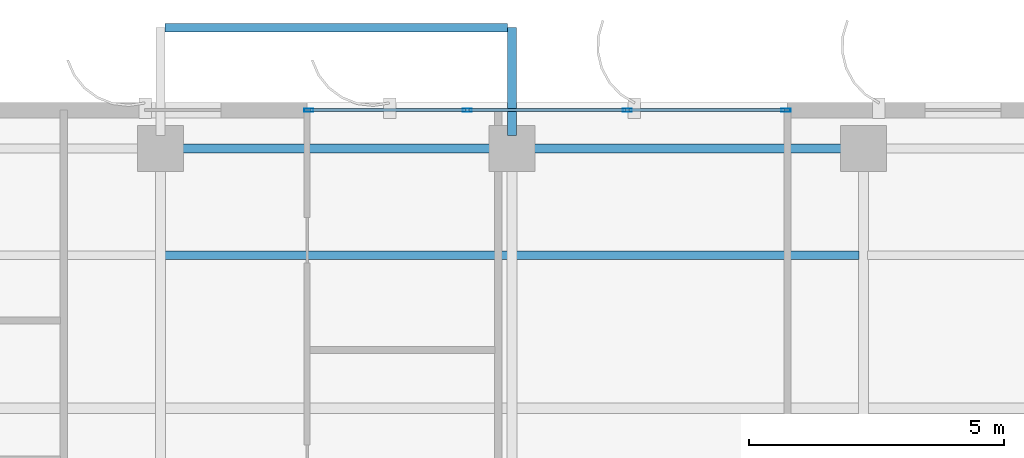
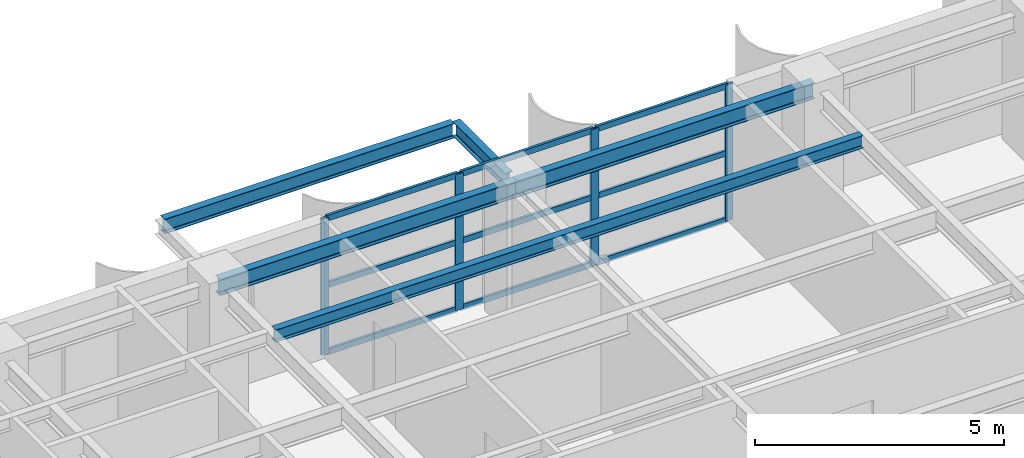
# One storey, part 12 of 21: 13 members, 5 beams, 1 element without a shape of its own.
"""IFC4 building model written with IfcOpenShell, lengths in metres."""

import ifcopenshell
import ifcopenshell.guid

model = None  # the IFC model being written
_history = None  # IfcOwnerHistory: only IFC2X3 demands one
_inside = {}  # id of a spatial element -> (the spatial element, [elements in it])
_under = {}  # id of a project, library or spatial element -> (it, [spatial elements below it])
_declared = {}  # id of a project -> (the project, [libraries it declares])
_typed = {}  # id of a type object -> (the type object, [elements of that type])
_made_of = {}  # id of a material, layer set ... -> (it, [elements and type objects made of it])


def new_model(schema):
    """Start an empty IFC model of exactly this schema.

    Asked for "IFC4X3", IfcOpenShell would pick the latest addendum, in which some entities
    have other attributes; the version numbers below select the first issue.
    IFC2X3 requires an IfcOwnerHistory on every rooted entity: one is made here for all.
    """
    global model, _history
    if schema == "IFC4X3":
        model = ifcopenshell.file(schema_version=(4, 3, 0, 0))
    else:
        model = ifcopenshell.file(schema=schema)
    _inside.clear()
    _under.clear()
    _declared.clear()
    _typed.clear()
    _made_of.clear()
    _history = None
    if model.schema == "IFC2X3":
        org = make("IfcOrganization", Name="unknown")
        user = make(
            "IfcPersonAndOrganization",
            ThePerson=make("IfcPerson", FamilyName="unknown"),
            TheOrganization=org,
        )
        app = make(
            "IfcApplication",
            ApplicationDeveloper=org,
            Version="unknown",
            ApplicationFullName="unknown",
            ApplicationIdentifier="unknown",
        )
        _history = make(
            "IfcOwnerHistory",
            OwningUser=user,
            OwningApplication=app,
            ChangeAction="ADDED",
            CreationDate=0,
        )
    return model


def make(cls, **values):
    """One entity of the class cls with the attributes given. An attribute that is None is left unset."""
    return model.create_entity(
        cls, **{name: value for name, value in values.items() if value is not None}
    )


def rooted(cls, **values):
    """An entity with a GlobalId (a new one), such as an element, a storey or a relation."""
    return make(cls, GlobalId=ifcopenshell.guid.new(), OwnerHistory=_history, **values)


def si_unit(unit_type, name, prefix=None):
    """IfcSIUnit, for example si_unit("LENGTHUNIT", "METRE", prefix="MILLI")."""
    return make("IfcSIUnit", UnitType=unit_type, Prefix=prefix, Name=name)


def assignment(units):
    """IfcUnitAssignment: the units of a project."""
    return None if units is None else make("IfcUnitAssignment", Units=units)


def point(xyz):
    """IfcCartesianPoint."""
    return None if xyz is None else make("IfcCartesianPoint", Coordinates=xyz)


def direction(xyz):
    """IfcDirection."""
    return None if xyz is None else make("IfcDirection", DirectionRatios=xyz)


def frame(location, z_axis=None, x_axis=None):
    """IfcAxis2Placement3D, a coordinate frame: its origin and axes. An axis left out is left unset."""
    return make(
        "IfcAxis2Placement3D",
        Location=point(location),
        Axis=direction(z_axis),
        RefDirection=direction(x_axis),
    )


def frame_2d(location, x_axis=None):
    """IfcAxis2Placement2D, a coordinate frame in the plane: its origin and x axis."""
    return make(
        "IfcAxis2Placement2D", Location=point(location), RefDirection=direction(x_axis)
    )


def origin():
    """The frame at (0, 0, 0) with its axes left unset."""
    return frame((0.0, 0.0, 0.0))


def origin_2d():
    """The frame at (0, 0) in the plane with its x axis left unset."""
    return frame_2d((0.0, 0.0))


def place(relative_to, where):
    """IfcLocalPlacement: puts the frame where relative to a parent placement (None: the world)."""
    return make(
        "IfcLocalPlacement", PlacementRelTo=relative_to, RelativePlacement=where
    )


def context(
    kind, dimensions, precision=None, world=None, true_north=None, identifier=None
):
    """IfcGeometricRepresentationContext, for example the 3D "Model" context."""
    return make(
        "IfcGeometricRepresentationContext",
        ContextIdentifier=identifier,
        ContextType=kind,
        CoordinateSpaceDimension=dimensions,
        Precision=precision,
        WorldCoordinateSystem=world,
        TrueNorth=true_north,
    )


def subcontext(parent, identifier, kind, view, scale=None):
    """IfcGeometricRepresentationSubContext, for example "Body" below "Model"."""
    return make(
        "IfcGeometricRepresentationSubContext",
        ContextIdentifier=identifier,
        ContextType=kind,
        ParentContext=parent,
        TargetScale=scale,
        TargetView=view,
    )


def project(units=None, contexts=None):
    """IfcProject with its units and contexts."""
    return rooted(
        "IfcProject",
        Name="project",
        RepresentationContexts=contexts,
        UnitsInContext=assignment(units),
    )


def spatial(cls, under=None, at=None, **own):
    """A site, building, storey or space (cls), placed at a placement, below another one or the project."""
    s = rooted(cls, ObjectPlacement=at, **own)
    if under is not None:
        _under.setdefault(under.id(), (under, []))[1].append(s)
    return s


def profile(cls, at=None, kind="AREA", **sizes):
    """A parametric profile (cls). Its sizes go by their IFC names, for example OverallWidth=200.0."""
    return make(cls, ProfileType=kind, Position=at, **sizes)


def hollow_rectangle(**sizes):
    """IfcRectangleHollowProfileDef."""
    return profile("IfcRectangleHollowProfileDef", **sizes)


def i_section(**sizes):
    """IfcIShapeProfileDef."""
    return profile("IfcIShapeProfileDef", **sizes)


def extrude(swept, where, along, depth):
    """IfcExtrudedAreaSolid: the profile swept, set in the frame where, extruded along a direction by depth."""
    return make(
        "IfcExtrudedAreaSolid",
        SweptArea=swept,
        Position=where,
        ExtrudedDirection=direction(along),
        Depth=depth,
    )


def shape(context_of_items, identifier, shape_type, items):
    """IfcShapeRepresentation: the items that make up one representation, for example the "Body"."""
    return make(
        "IfcShapeRepresentation",
        ContextOfItems=context_of_items,
        RepresentationIdentifier=identifier,
        RepresentationType=shape_type,
        Items=items,
    )


def source(mapping_origin, context_of_items, identifier, shape_type, items):
    """IfcRepresentationMap: a shape defined once, which mapped items show again and again."""
    return make(
        "IfcRepresentationMap",
        MappingOrigin=mapping_origin,
        MappedRepresentation=shape(context_of_items, identifier, shape_type, items),
    )


def transform(
    local_origin,
    x_axis=None,
    y_axis=None,
    z_axis=None,
    scale=None,
    scale2=None,
    scale3=None,
    uniform=True,
):
    """IfcCartesianTransformationOperator3D, or its non-uniform kind. x_axis, y_axis, z_axis: its Axis1, 2, 3."""
    if uniform:
        return make(
            "IfcCartesianTransformationOperator3D",
            Axis1=direction(x_axis),
            Axis2=direction(y_axis),
            LocalOrigin=point(local_origin),
            Scale=scale,
            Axis3=direction(z_axis),
        )
    return make(
        "IfcCartesianTransformationOperator3DnonUniform",
        Axis1=direction(x_axis),
        Axis2=direction(y_axis),
        LocalOrigin=point(local_origin),
        Scale=scale,
        Axis3=direction(z_axis),
        Scale2=scale2,
        Scale3=scale3,
    )


def mapped(mapping_source, mapping_target):
    """IfcMappedItem: shows the shape of a source again, moved by a transform."""
    return make(
        "IfcMappedItem", MappingSource=mapping_source, MappingTarget=mapping_target
    )


def material(Name=None, Category=None):
    """IfcMaterial."""
    return make("IfcMaterial", Name=Name, Category=Category)


def layer(
    of_material, thickness, ventilated=None, Name=None, Category=None, Priority=None
):
    """IfcMaterialLayer: one layer of a wall or slab, of a material (None: an air gap)."""
    return make(
        "IfcMaterialLayer",
        Material=of_material,
        LayerThickness=thickness,
        IsVentilated=ventilated,
        Name=Name,
        Category=Category,
        Priority=Priority,
    )


def layer_set(layers, Name=None):
    """IfcMaterialLayerSet."""
    return make("IfcMaterialLayerSet", MaterialLayers=layers, LayerSetName=Name)


def material_profile(
    of_material, cross_section, Name=None, Category=None, Priority=None
):
    """IfcMaterialProfile: a cross section and its material."""
    return make(
        "IfcMaterialProfile",
        Name=Name,
        Material=of_material,
        Profile=cross_section,
        Priority=Priority,
        Category=Category,
    )


def profile_set(profiles, Name=None, composite=None):
    """IfcMaterialProfileSet."""
    return make(
        "IfcMaterialProfileSet",
        Name=Name,
        MaterialProfiles=profiles,
        CompositeProfile=composite,
    )


def made_of(thing, what):
    """Note that an element or type object is made of a material, layer set ...; save() writes the relation."""
    if what is not None:
        _made_of.setdefault(what.id(), (what, []))[1].append(thing)
    return thing


def type_object(cls, material=None, **own):
    """A type object (cls), such as IfcWallType, which elements share."""
    return made_of(rooted(cls, **own), material)


def element(
    cls,
    number,
    at=None,
    inside=None,
    cuts=None,
    type_object=None,
    material=None,
    context=None,
    identifier="Body",
    shape_type=None,
    held_by="IfcProductDefinitionShape",
    body=None,
    shapes=None,
    **own,
):
    """One element of the class cls, such as IfcWall. Its Tag is "e" and its number.

    at: its placement. inside: the storey or other place that contains it. cuts: it is an
    opening in that element (IfcRelVoidsElement). A single representation is given by context,
    identifier, shape_type and body (its items); several are given by shapes. held_by: the class
    of the entity that holds the representations. save() writes the other relations.
    """
    e = rooted(cls, Tag="e%d" % number, ObjectPlacement=at, **own)
    if body is not None:
        shapes = [shape(context, identifier, shape_type, body)]
    if shapes is not None:
        e.Representation = make(held_by, Representations=shapes)
    if inside is not None:
        _inside.setdefault(inside.id(), (inside, []))[1].append(e)
    if cuts is not None:
        rooted(
            "IfcRelVoidsElement", RelatingBuildingElement=cuts, RelatedOpeningElement=e
        )
    if type_object is not None:
        _typed.setdefault(type_object.id(), (type_object, []))[1].append(e)
    return made_of(e, material)


def aggregate(whole, parts):
    """IfcRelAggregates: a whole, such as a stair, and the parts it consists of."""
    return rooted("IfcRelAggregates", RelatingObject=whole, RelatedObjects=parts)


def save(model, path):
    """Write the relations noted so far, then the file.

    IfcRelAggregates (storeys below a building ...), IfcRelContainedInSpatialStructure (elements
    in a storey), IfcRelDefinesByType, IfcRelAssociatesMaterial and IfcRelDeclares: one each for
    every whole, place, type object, material and project.
    """
    for whole, parts in _under.values():
        aggregate(whole, parts)
    for where, things in _inside.values():
        rooted(
            "IfcRelContainedInSpatialStructure",
            RelatedElements=things,
            RelatingStructure=where,
        )
    for kind, things in _typed.values():
        rooted("IfcRelDefinesByType", RelatedObjects=things, RelatingType=kind)
    for what, things in _made_of.values():
        rooted("IfcRelAssociatesMaterial", RelatedObjects=things, RelatingMaterial=what)
    for by, libraries in _declared.values():
        rooted("IfcRelDeclares", RelatingContext=by, RelatedDefinitions=libraries)
    model.write(path)


model = new_model("IFC4")

# Units and contexts
model_context = context("Model", 3, precision=1e-05, world=origin(), true_north=direction((0.0, 1.0)))
body_context = subcontext(model_context, "Body", "Model", "MODEL_VIEW")
ifc_project = project(units=[si_unit("LENGTHUNIT", "METRE"), si_unit("AREAUNIT", "SQUARE_METRE"), si_unit("VOLUMEUNIT", "CUBIC_METRE"), si_unit("PLANEANGLEUNIT", "RADIAN"), si_unit("MASSUNIT", "GRAM", prefix="KILO")], contexts=[model_context])

# Site, building, storey
site_placement = place(None, origin())
site = spatial("IfcSite", under=ifc_project, at=site_placement, CompositionType="ELEMENT")
building_placement = place(site_placement, origin())
building = spatial("IfcBuilding", under=site, at=building_placement, Name="Khoralis Quay Care Tower", CompositionType="ELEMENT")
storey_placement = place(building_placement, frame((0.0, 0.0, 159.300048828125)))
storey = spatial("IfcBuildingStorey", under=building, at=storey_placement, Name="L41", CompositionType="ELEMENT", Elevation=159.300048828125)

# Beams
ifc_material_1 = material(Name="Steel S355", Category="steel")
ifc_material_profile_1 = material_profile(ifc_material_1, i_section(OverallWidth=0.179931640625, OverallDepth=0.39990234375, WebThickness=0.008544921875, FlangeThickness=0.013427734375, FilletRadius=0.02099609375, at=origin_2d()), Name="Steel S355")
ifc_profile_set_1 = profile_set([ifc_material_profile_1], Name="Steel S355")
beam_type_1 = type_object("IfcBeamType", Name="BM-IPE400", PredefinedType="SPANDREL", material=ifc_profile_set_1)
shared_shape_1 = source(origin(), body_context, "Body", "SweptSolid", [
    extrude(i_section(OverallWidth=0.179931640625, OverallDepth=0.39990234375, WebThickness=0.008544921875, FlangeThickness=0.013427734375, FilletRadius=0.02099609375, at=origin_2d()), origin(), (0.0, 0.0, 1.0), 6.89990234375),
])
for number, where, z_axis, x_axis, name in (
    (1, (17.10009765625, 41.10009765625, 3.139892578125), (1.0, 0.0, 0.0), (0.0, 1.0, 0.0), "BM-TSP-L41-06"),
    (2, (24.0, 41.10009765625, 3.139892578125), (1.0, 0.0, 0.0), (0.0, 1.0, 0.0), "BM-TSP-L41-07"),
):
    element("IfcBeam", number, at=place(storey_placement, frame(where, z_axis=z_axis, x_axis=x_axis)), inside=storey, type_object=beam_type_1, Name=name, PredefinedType="SPANDREL", context=body_context, shape_type="MappedRepresentation", body=[
        mapped(shared_shape_1, transform((0.0, 0.0, 0.0), scale=1.0)),
    ])
ifc_material_profile_2 = material_profile(ifc_material_1, i_section(OverallWidth=0.1650390625, OverallDepth=0.31005859375, WebThickness=0.005859375, FlangeThickness=0.009765625, FilletRadius=0.011962890625, at=origin_2d()), Name="Steel S355")
ifc_profile_set_2 = profile_set([ifc_material_profile_2], Name="Steel S355")
beam_type_2 = type_object("IfcBeamType", Name="BM-W310X39", PredefinedType="JOIST", material=ifc_profile_set_2)
shared_shape_2 = source(origin(), body_context, "Body", "SweptSolid", [
    extrude(i_section(OverallWidth=0.1650390625, OverallDepth=0.31005859375, WebThickness=0.005859375, FlangeThickness=0.009765625, FilletRadius=0.011962890625, at=origin_2d()), origin(), (0.0, 0.0, 1.0), 13.6318359375),
])
beam_1_placement = place(storey_placement, frame((17.18408203125, 39.0, 3.18505859375), z_axis=(1.0, 0.0, 0.0), x_axis=(0.0, 1.0, 0.0)))
element("IfcBeam", 3, at=beam_1_placement, inside=storey, type_object=beam_type_2, Name="BM-TJS-L41-31", PredefinedType="JOIST", context=body_context, shape_type="MappedRepresentation", body=[
    mapped(shared_shape_2, transform((0.0, 0.0, 0.0), scale=1.0)),
])
ifc_material_profile_3 = material_profile(ifc_material_1, i_section(OverallWidth=0.169921875, OverallDepth=0.360107421875, WebThickness=0.008056640625, FlangeThickness=0.0126953125, FilletRadius=0.01806640625, at=origin_2d()), Name="Steel S355")
ifc_profile_set_3 = profile_set([ifc_material_profile_3], Name="Steel S355")
beam_type_3 = type_object("IfcBeamType", Name="BM-IPE360", PredefinedType="SPANDREL", material=ifc_profile_set_3)
shared_shape_3 = source(origin(), body_context, "Body", "SweptSolid", [
    extrude(i_section(OverallWidth=0.169921875, OverallDepth=0.360107421875, WebThickness=0.008056640625, FlangeThickness=0.0126953125, FilletRadius=0.01806640625, at=origin_2d()), origin(), (0.0, 0.0, 1.0), 2.119873046875),
])
beam_2_placement = place(storey_placement, frame((24.0, 41.35009765625, 3.1640625), z_axis=(0.0, 1.0, 0.0), x_axis=(-1.0, 0.0, 0.0)))
element("IfcBeam", 4, at=beam_2_placement, inside=storey, type_object=beam_type_3, Name="L42 Balcony Cantilever Outrigger Beam 2", PredefinedType="SPANDREL", context=body_context, shape_type="MappedRepresentation", body=[
    mapped(shared_shape_3, transform((0.0, 0.0, 0.0), scale=1.0)),
])
shared_shape_4 = source(origin(), body_context, "Body", "SweptSolid", [
    extrude(i_section(OverallWidth=0.169921875, OverallDepth=0.360107421875, WebThickness=0.008056640625, FlangeThickness=0.0126953125, FilletRadius=0.01806640625, at=origin_2d()), origin(), (0.0, 0.0, 1.0), 6.72412109375),
])
beam_3_placement = place(storey_placement, frame((17.18798828125, 43.469970703125, 3.1640625), z_axis=(1.0, 0.0, 0.0), x_axis=(0.0, 1.0, 0.0)))
element("IfcBeam", 5, at=beam_3_placement, inside=storey, type_object=beam_type_3, Name="L42 Balcony Edge Spandrel Beam P1E10", PredefinedType="SPANDREL", context=body_context, shape_type="MappedRepresentation", body=[
    mapped(shared_shape_4, transform((0.0, 0.0, 0.0), scale=1.0)),
])

# Curtain wall, members
ifc_material_2 = material(Name="Pale anodised aluminium", Category="aluminium")
ifc_layer = layer(ifc_material_2, 0.159912109375)
ifc_layer_set = layer_set([ifc_layer], Name="Pale anodised aluminium")
curtain_wall_type = type_object("IfcCurtainWallType", Name="CW-SYS-Z3", PredefinedType="NOTDEFINED", material=ifc_layer_set)
curtain_wall_placement = place(storey_placement, origin())
curtain_wall = element("IfcCurtainWall", 6, at=curtain_wall_placement, inside=storey, type_object=curtain_wall_type, Name="L41 Unitised Curtain Wall CW-L41-P1-E10", PredefinedType="NOTDEFINED")
ifc_material_profile_4 = material_profile(ifc_material_2, hollow_rectangle(XDim=0.06494140625, YDim=0.179931640625, WallThickness=0.00390625, at=origin_2d()), Name="Pale anodised aluminium")
ifc_profile_set_4 = profile_set([ifc_material_profile_4], Name="Pale anodised aluminium")
member_type_1 = type_object("IfcMemberType", Name="CW-MUL-180", PredefinedType="MULLION", material=ifc_profile_set_4)
shared_shape_5 = source(origin(), body_context, "Body", "SweptSolid", [
    extrude(hollow_rectangle(XDim=0.06494140625, YDim=0.179931640625, WallThickness=0.00390625, at=origin_2d()), origin(), (0.0, 0.0, 1.0), 3.33984375),
])
member_1_placement = place(storey_placement, frame((29.3798828125, 41.85009765625, 0.0), z_axis=(0.0, 0.0, 1.0), x_axis=(0.0, -1.0, 0.0)))
member_1 = element("IfcMember", 7, at=member_1_placement, type_object=member_type_1, Name="CW3 mullion 1", PredefinedType="MULLION", context=body_context, shape_type="MappedRepresentation", body=[
    mapped(shared_shape_5, transform((0.0, 0.0, 0.0), scale=1.0)),
])
member_2_placement = place(storey_placement, frame((26.265625, 41.85009765625, 0.0), z_axis=(0.0, 0.0, 1.0), x_axis=(0.0, -1.0, 0.0)))
member_2 = element("IfcMember", 8, at=member_2_placement, type_object=member_type_1, Name="CW3 mullion 2", PredefinedType="MULLION", context=body_context, shape_type="MappedRepresentation", body=[
    mapped(shared_shape_5, transform((0.0, 0.0, 0.0), scale=1.0)),
])
member_3_placement = place(storey_placement, frame((23.121337890625, 41.85009765625, 0.0), z_axis=(0.0, 0.0, 1.0), x_axis=(0.0, -1.0, 0.0)))
member_3 = element("IfcMember", 9, at=member_3_placement, type_object=member_type_1, Name="CW3 mullion 3", PredefinedType="MULLION", context=body_context, shape_type="MappedRepresentation", body=[
    mapped(shared_shape_5, transform((0.0, 0.0, 0.0), scale=1.0)),
])
member_4_placement = place(storey_placement, frame((20.007080078125, 41.85009765625, 0.0), z_axis=(0.0, 0.0, 1.0), x_axis=(0.0, -1.0, 0.0)))
member_4 = element("IfcMember", 10, at=member_4_placement, type_object=member_type_1, Name="CW3 mullion 4", PredefinedType="MULLION", context=body_context, shape_type="MappedRepresentation", body=[
    mapped(shared_shape_5, transform((0.0, 0.0, 0.0), scale=1.0)),
])
ifc_material_profile_5 = material_profile(ifc_material_2, hollow_rectangle(XDim=0.06005859375, YDim=0.139892578125, WallThickness=0.00390625, at=origin_2d()), Name="Pale anodised aluminium")
ifc_profile_set_5 = profile_set([ifc_material_profile_5], Name="Pale anodised aluminium")
member_type_2 = type_object("IfcMemberType", Name="CW-TRN-140", PredefinedType="USERDEFINED", material=ifc_profile_set_5)
shared_shape_6 = source(origin(), body_context, "Body", "SweptSolid", [
    extrude(hollow_rectangle(XDim=0.06005859375, YDim=0.139892578125, WallThickness=0.00390625, at=origin_2d()), origin(), (0.0, 0.0, 1.0), 3.054443359375),
])
member_5_placement = place(storey_placement, frame((29.35009765625, 41.85009765625, 0.030029296875), z_axis=(-1.0, 0.0, 0.0), x_axis=(0.0, -1.0, 0.0)))
member_5 = element("IfcMember", 11, at=member_5_placement, type_object=member_type_2, Name="CW3 transom 1.1", ObjectType="TRANSOM", PredefinedType="USERDEFINED", context=body_context, shape_type="MappedRepresentation", body=[
    mapped(shared_shape_6, transform((0.0, 0.0, 0.0), scale=1.0)),
])
member_6_placement = place(storey_placement, frame((29.35009765625, 41.85009765625, 1.669921875), z_axis=(-1.0, 0.0, 0.0), x_axis=(0.0, -1.0, 0.0)))
member_6 = element("IfcMember", 12, at=member_6_placement, type_object=member_type_2, Name="CW3 transom 1.2", ObjectType="TRANSOM", PredefinedType="USERDEFINED", context=body_context, shape_type="MappedRepresentation", body=[
    mapped(shared_shape_6, transform((0.0, 0.0, 0.0), scale=1.0)),
])
member_7_placement = place(storey_placement, frame((29.35009765625, 41.85009765625, 3.31005859375), z_axis=(-1.0, 0.0, 0.0), x_axis=(0.0, -1.0, 0.0)))
member_7 = element("IfcMember", 13, at=member_7_placement, type_object=member_type_2, Name="CW3 transom 1.3", ObjectType="TRANSOM", PredefinedType="USERDEFINED", context=body_context, shape_type="MappedRepresentation", body=[
    mapped(shared_shape_6, transform((0.0, 0.0, 0.0), scale=1.0)),
])
shared_shape_7 = source(origin(), body_context, "Body", "SweptSolid", [
    extrude(hollow_rectangle(XDim=0.06005859375, YDim=0.139892578125, WallThickness=0.00390625, at=origin_2d()), origin(), (0.0, 0.0, 1.0), 3.084228515625),
])
member_8_placement = place(storey_placement, frame((26.235595703125, 41.85009765625, 0.030029296875), z_axis=(-1.0, 0.0, 0.0), x_axis=(0.0, -1.0, 0.0)))
member_8 = element("IfcMember", 14, at=member_8_placement, type_object=member_type_2, Name="CW3 transom 2.1", ObjectType="TRANSOM", PredefinedType="USERDEFINED", context=body_context, shape_type="MappedRepresentation", body=[
    mapped(shared_shape_7, transform((0.0, 0.0, 0.0), scale=1.0)),
])
member_9_placement = place(storey_placement, frame((26.235595703125, 41.85009765625, 1.669921875), z_axis=(-1.0, 0.0, 0.0), x_axis=(0.0, -1.0, 0.0)))
member_9 = element("IfcMember", 15, at=member_9_placement, type_object=member_type_2, Name="CW3 transom 2.2", ObjectType="TRANSOM", PredefinedType="USERDEFINED", context=body_context, shape_type="MappedRepresentation", body=[
    mapped(shared_shape_7, transform((0.0, 0.0, 0.0), scale=1.0)),
])
member_10_placement = place(storey_placement, frame((26.235595703125, 41.85009765625, 3.31005859375), z_axis=(-1.0, 0.0, 0.0), x_axis=(0.0, -1.0, 0.0)))
member_10 = element("IfcMember", 16, at=member_10_placement, type_object=member_type_2, Name="CW3 transom 2.3", ObjectType="TRANSOM", PredefinedType="USERDEFINED", context=body_context, shape_type="MappedRepresentation", body=[
    mapped(shared_shape_7, transform((0.0, 0.0, 0.0), scale=1.0)),
])
shared_shape_8 = source(origin(), body_context, "Body", "SweptSolid", [
    extrude(hollow_rectangle(XDim=0.06005859375, YDim=0.139892578125, WallThickness=0.00390625, at=origin_2d()), origin(), (0.0, 0.0, 1.0), 3.05419921875),
])
member_11_placement = place(storey_placement, frame((23.09130859375, 41.85009765625, 0.030029296875), z_axis=(-1.0, 0.0, 0.0), x_axis=(0.0, -1.0, 0.0)))
member_11 = element("IfcMember", 17, at=member_11_placement, type_object=member_type_2, Name="CW3 transom 3.1", ObjectType="TRANSOM", PredefinedType="USERDEFINED", context=body_context, shape_type="MappedRepresentation", body=[
    mapped(shared_shape_8, transform((0.0, 0.0, 0.0), scale=1.0)),
])
member_12_placement = place(storey_placement, frame((23.09130859375, 41.85009765625, 1.669921875), z_axis=(-1.0, 0.0, 0.0), x_axis=(0.0, -1.0, 0.0)))
member_12 = element("IfcMember", 18, at=member_12_placement, type_object=member_type_2, Name="CW3 transom 3.2", ObjectType="TRANSOM", PredefinedType="USERDEFINED", context=body_context, shape_type="MappedRepresentation", body=[
    mapped(shared_shape_8, transform((0.0, 0.0, 0.0), scale=1.0)),
])
member_13_placement = place(storey_placement, frame((23.09130859375, 41.85009765625, 3.31005859375), z_axis=(-1.0, 0.0, 0.0), x_axis=(0.0, -1.0, 0.0)))
member_13 = element("IfcMember", 19, at=member_13_placement, type_object=member_type_2, Name="CW3 transom 3.3", ObjectType="TRANSOM", PredefinedType="USERDEFINED", context=body_context, shape_type="MappedRepresentation", body=[
    mapped(shared_shape_8, transform((0.0, 0.0, 0.0), scale=1.0)),
])
aggregate(curtain_wall, [member_1, member_2, member_3, member_4, member_5, member_6, member_7, member_8, member_9, member_10, member_11, member_12, member_13])

save(model, "model.ifc")
